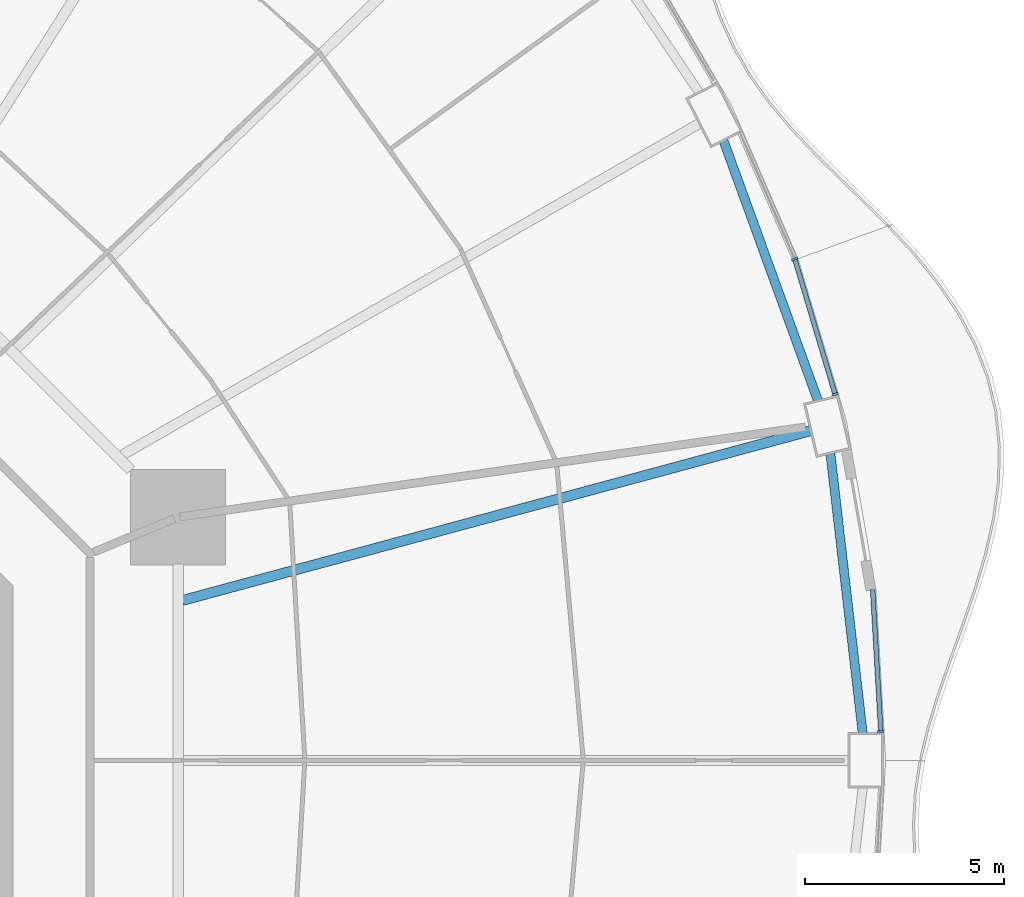
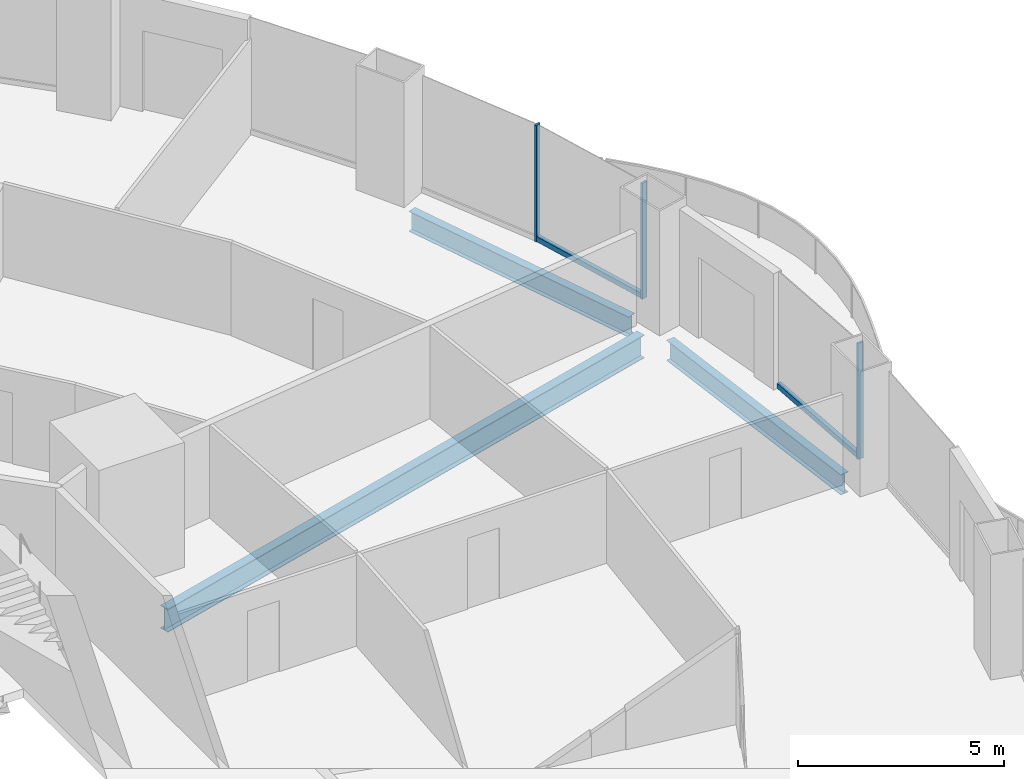
# One storey, part 9 of 22: 5 members, 3 beams, 3 elements without a shape of their own.
"""IFC4 building model written with IfcOpenShell, lengths in metres."""

from ifc_helpers import new_model, si_unit, direction, frame, origin, origin_2d, place, context, subcontext, project, spatial, rectangle, i_section, extrude, material, layer, layer_set, material_profile, profile_set, type_object, element, aggregate, save


model = new_model("IFC4")

# Units and contexts
model_context = context("Model", 3, precision=1e-05, world=origin(), true_north=direction((0.0, 1.0)))
body_context = subcontext(model_context, "Body", "Model", "MODEL_VIEW")
ifc_project = project(units=[si_unit("LENGTHUNIT", "METRE"), si_unit("AREAUNIT", "SQUARE_METRE"), si_unit("VOLUMEUNIT", "CUBIC_METRE"), si_unit("PLANEANGLEUNIT", "RADIAN"), si_unit("MASSUNIT", "GRAM", prefix="KILO")], contexts=[model_context])

# Site, building, storey
site_placement = place(None, origin())
site = spatial("IfcSite", under=ifc_project, at=site_placement, CompositionType="ELEMENT")
building_placement = place(site_placement, origin())
building = spatial("IfcBuilding", under=site, at=building_placement, Name="Nagisa Residences", CompositionType="ELEMENT")
storey_placement = place(building_placement, frame((0.0, 0.0, 45.5)))
storey = spatial("IfcBuildingStorey", under=building, at=storey_placement, Name="L10", CompositionType="ELEMENT", Elevation=45.5)

# Curtain wall, member
ifc_material_1 = material(Name="Concrete-coloured aluminium curtain wall system", Category="concrete")
ifc_layer = layer(ifc_material_1, 0.159912109375)
ifc_layer_set = layer_set([ifc_layer], Name="CW1 CURTAIN WALL")
curtain_wall_type = type_object("IfcCurtainWallType", Name="CW1 CURTAIN WALL", PredefinedType="NOTDEFINED", material=ifc_layer_set)
curtain_wall_1_placement = place(storey_placement, origin())
curtain_wall_1 = element("IfcCurtainWall", 1, at=curtain_wall_1_placement, inside=storey, type_object=curtain_wall_type, Name="cw:CW1:L10:00", PredefinedType="NOTDEFINED")
ifc_material_2 = material(Name="Concrete-coloured aluminium", Category="concrete")
ifc_material_profile_1 = material_profile(ifc_material_2, rectangle(XDim=0.159912109375, YDim=0.06005859375, at=origin_2d()), Name="CW1 MULLION 160x60")
ifc_profile_set_1 = profile_set([ifc_material_profile_1], Name="Concrete-coloured aluminium")
member_type_1 = type_object("IfcMemberType", Name="CW1 MULLION 160x60", PredefinedType="MULLION", material=ifc_profile_set_1)
member_1_placement = place(storey_placement, frame((32.478271484375, 0.72412109375, 0.0), z_axis=(0.0, 0.0, 1.0), x_axis=(-0.998345305184, -0.057503492216, 0.0)))
member_1 = element("IfcMember", 2, at=member_1_placement, type_object=member_type_1, Name="CW1 mullion", PredefinedType="MULLION", context=body_context, shape_type="SweptSolid", body=[
    extrude(rectangle(XDim=0.159912109375, YDim=0.06005859375, at=origin_2d()), origin(), (0.0, 0.0, 1.0), 3.43994140625),
])

curtain_wall_2_placement = place(storey_placement, origin())
curtain_wall_2 = element("IfcCurtainWall", 3, at=curtain_wall_2_placement, inside=storey, type_object=curtain_wall_type, Name="cw:CW1:L10:02", PredefinedType="NOTDEFINED")
member_2_placement = place(storey_placement, frame((31.326416015625, 9.2177734375, 0.0), z_axis=(0.0, 0.0, 1.0), x_axis=(-0.958271310082, -0.285860274038, 0.0)))
member_2 = element("IfcMember", 4, at=member_2_placement, type_object=member_type_1, Name="CW1 mullion", PredefinedType="MULLION", context=body_context, shape_type="SweptSolid", body=[
    extrude(rectangle(XDim=0.159912109375, YDim=0.06005859375, at=origin_2d()), origin(), (0.0, 0.0, 1.0), 3.43994140625),
])

curtain_wall_3_placement = place(storey_placement, origin())
curtain_wall_3 = element("IfcCurtainWall", 5, at=curtain_wall_3_placement, inside=storey, type_object=curtain_wall_type, Name="cw:CW1:L10:03", PredefinedType="NOTDEFINED")
member_3_placement = place(storey_placement, frame((30.30712890625, 12.624267578125, 0.0), z_axis=(0.0, 0.0, 1.0), x_axis=(-0.917543276295, -0.397635934147, 0.0)))
member_3 = element("IfcMember", 6, at=member_3_placement, type_object=member_type_1, Name="CW1 mullion", PredefinedType="MULLION", context=body_context, shape_type="SweptSolid", body=[
    extrude(rectangle(XDim=0.159912109375, YDim=0.06005859375, at=origin_2d()), origin(), (0.0, 0.0, 1.0), 3.43994140625),
])
aggregate(curtain_wall_3, [member_3])

# Member
ifc_material_3 = material(Name="Concrete-coloured aluminium", Category="concrete")
ifc_material_profile_2 = material_profile(ifc_material_3, rectangle(XDim=0.1201171875, YDim=0.14990234375, at=origin_2d()), Name="CW1 TRANSOM 120x150")
ifc_profile_set_2 = profile_set([ifc_material_profile_2], Name="Concrete-coloured aluminium")
member_type_2 = type_object("IfcMemberType", Name="CW1 TRANSOM 120x150", PredefinedType="USERDEFINED", material=ifc_profile_set_2)
member_4_placement = place(storey_placement, frame((32.47998046875, 0.6943359375, 0.074951171875), z_axis=(-0.057549926952, 0.998342629515, 0.0), x_axis=(-0.998342629515, -0.057549926952, 0.0)))
member_4 = element("IfcMember", 7, at=member_4_placement, type_object=member_type_2, Name="CW1 transom", ObjectType="TRANSOM", PredefinedType="USERDEFINED", context=body_context, shape_type="SweptSolid", body=[
    extrude(rectangle(XDim=0.1201171875, YDim=0.14990234375, at=origin_2d()), origin(), (0.0, 0.0, 1.0), 3.614501953125),
])

aggregate(curtain_wall_1, [member_1, member_4])

member_5_placement = place(storey_placement, frame((31.335205078125, 9.18896484375, 0.074951171875), z_axis=(-0.285871309426, 0.958268018065, 0.0), x_axis=(-0.958268018065, -0.285871309426, 0.0)))
member_5 = element("IfcMember", 8, at=member_5_placement, type_object=member_type_2, Name="CW1 transom", ObjectType="TRANSOM", PredefinedType="USERDEFINED", context=body_context, shape_type="SweptSolid", body=[
    extrude(rectangle(XDim=0.1201171875, YDim=0.14990234375, at=origin_2d()), origin(), (0.0, 0.0, 1.0), 3.5654296875),
])

aggregate(curtain_wall_2, [member_2, member_5])

# Beams
ifc_material_4 = material(Name="Steel ASTM A572 Gr 50", Category="steel")
ifc_material_profile_3 = material_profile(ifc_material_4, i_section(OverallWidth=0.22802734375, OverallDepth=0.60302734375, WebThickness=0.010498046875, FlangeThickness=0.014892578125, at=origin_2d()), Name="W610x101")
ifc_profile_set_3 = profile_set([ifc_material_profile_3], Name="Steel ASTM A572 Gr 50")
beam_type_1 = type_object("IfcBeamType", Name="Perimeter ring beam W610x101", PredefinedType="BEAM", material=ifc_profile_set_3)
beam_1_placement = place(storey_placement, frame((32.021484375, 0.68017578125, -0.5615234375), z_axis=(-0.114673717321, 0.993403210462, 0.0), x_axis=(-0.993403210462, -0.114673717321, 0.0)))
element("IfcBeam", 9, at=beam_1_placement, inside=storey, type_object=beam_type_1, Name="beam:L10:pb01", PredefinedType="BEAM", context=body_context, shape_type="SweptSolid", body=[
    extrude(i_section(OverallWidth=0.22802734375, OverallDepth=0.60302734375, WebThickness=0.010498046875, FlangeThickness=0.014892578125, at=origin_2d()), origin(), (0.0, 0.0, 1.0), 7.09814453125),
])
beam_2_placement = place(storey_placement, frame((30.89501953125, 9.055419921875, -0.5615234375), z_axis=(-0.341411143183, 0.939914055279, 0.0), x_axis=(-0.939914055279, -0.341411143183, 0.0)))
element("IfcBeam", 10, at=beam_2_placement, inside=storey, type_object=beam_type_1, Name="beam:L10:pb02", PredefinedType="BEAM", context=body_context, shape_type="SweptSolid", body=[
    extrude(i_section(OverallWidth=0.22802734375, OverallDepth=0.60302734375, WebThickness=0.010498046875, FlangeThickness=0.014892578125, at=origin_2d()), origin(), (0.0, 0.0, 1.0), 6.96923828125),
])
ifc_material_5 = material(Name="Steel ASTM A572 Gr 50", Category="steel")
ifc_material_profile_4 = material_profile(ifc_material_5, i_section(OverallWidth=0.25390625, OverallDepth=0.68408203125, WebThickness=0.012451171875, FlangeThickness=0.018798828125, at=origin_2d()), Name="W690x140")
ifc_profile_set_4 = profile_set([ifc_material_profile_4], Name="Steel ASTM A572 Gr 50")
beam_type_2 = type_object("IfcBeamType", Name="Radial beam W690x140", PredefinedType="BEAM", material=ifc_profile_set_4)
beam_3_placement = place(storey_placement, frame((30.713623046875, 8.29931640625, -0.60205078125), z_axis=(-0.965375968847, -0.260862490162, 0.0), x_axis=(0.260862490162, -0.965375968847, 0.0)))
element("IfcBeam", 11, at=beam_3_placement, inside=storey, type_object=beam_type_2, Name="beam:L10:rb02", PredefinedType="BEAM", context=body_context, shape_type="SweptSolid", body=[
    extrude(i_section(OverallWidth=0.25390625, OverallDepth=0.68408203125, WebThickness=0.012451171875, FlangeThickness=0.018798828125, at=origin_2d()), origin(), (0.0, 0.0, 1.0), 16.3857421875),
])

save(model, "model.ifc")
